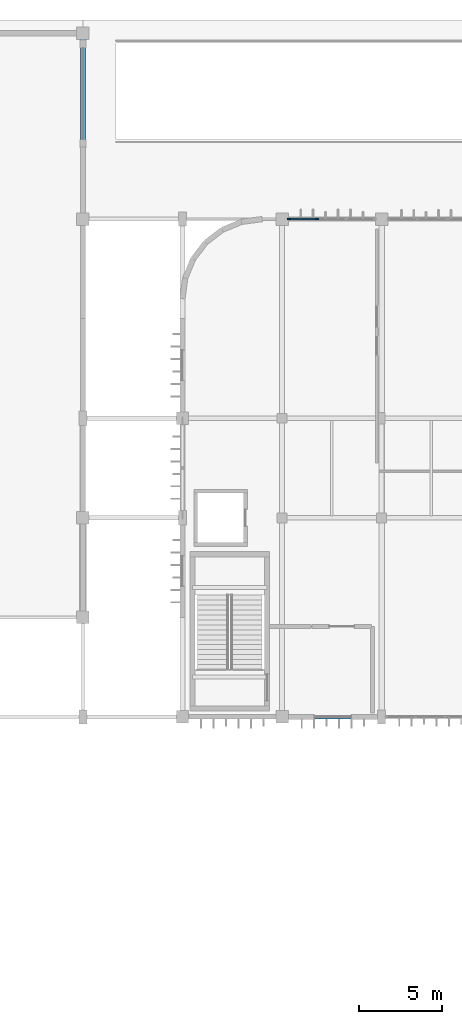
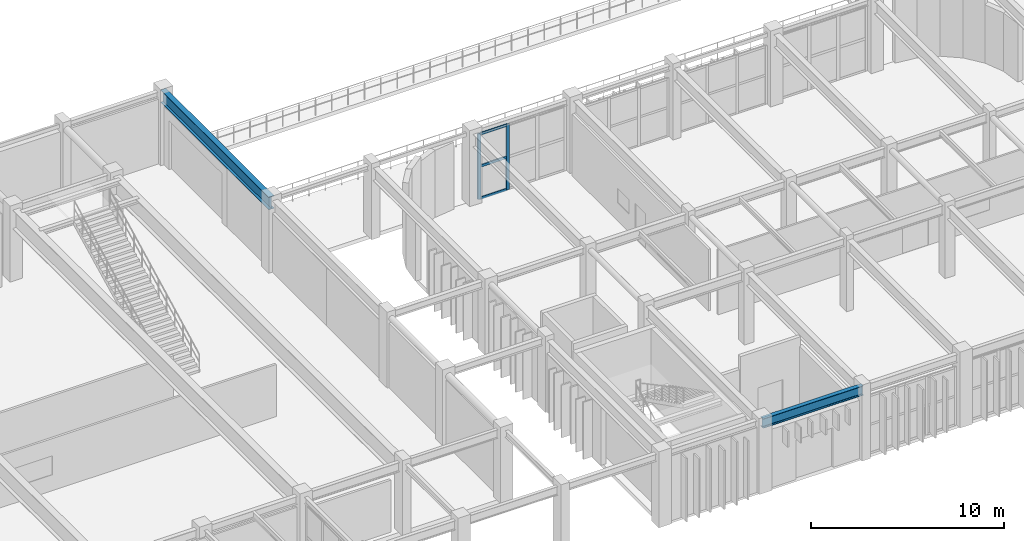
# One storey, part 24 of 76: 5 members, 2 beams, 1 element without a shape of its own.
"""IFC4 building model written with IfcOpenShell, lengths in metres."""

from ifc_helpers import new_model, si_unit, direction, frame, origin, origin_2d, place, context, subcontext, project, spatial, rectangle, i_section, extrude, material, material_profile, profile_set, type_object, element, aggregate, save


model = new_model("IFC4")

# Units and contexts
model_context = context("Model", 3, precision=1e-05, world=origin(), true_north=direction((0.0, 1.0)))
body_context = subcontext(model_context, "Body", "Model", "MODEL_VIEW")
ifc_project = project(units=[si_unit("LENGTHUNIT", "METRE"), si_unit("AREAUNIT", "SQUARE_METRE"), si_unit("VOLUMEUNIT", "CUBIC_METRE"), si_unit("PLANEANGLEUNIT", "RADIAN"), si_unit("MASSUNIT", "GRAM", prefix="KILO")], contexts=[model_context])

# Site, building, storey
site_placement = place(None, origin())
site = spatial("IfcSite", under=ifc_project, at=site_placement, CompositionType="ELEMENT")
building_placement = place(site_placement, origin())
building = spatial("IfcBuilding", under=site, at=building_placement, Name="Varnakota Square Police Headquarters", CompositionType="ELEMENT")
storey_placement = place(building_placement, origin())
storey = spatial("IfcBuildingStorey", under=building, at=storey_placement, Name="L00", CompositionType="ELEMENT", Elevation=0.0)

# Beams
ifc_material_1 = material(Name="Steel IS 2062 Grade 350", Category="steel")
ifc_material_profile_1 = material_profile(ifc_material_1, i_section(OverallWidth=0.320068359375, OverallDepth=0.800048828125, WebThickness=0.01611328125, FlangeThickness=0.028076171875, at=origin_2d()), Name="BPG 800x320")
ifc_profile_set_1 = profile_set([ifc_material_profile_1], Name="Steel IS 2062 Grade 350")
beam_type_1 = type_object("IfcBeamType", Name="BM-BPG800", PredefinedType="BEAM", material=ifc_profile_set_1)
beam_1_placement = place(storey_placement, frame((54.0, 99.0, 4.10009765625), z_axis=(0.0, 1.0, 0.0), x_axis=(-1.0, 0.0, 0.0)))
element("IfcBeam", 1, at=beam_1_placement, inside=storey, type_object=beam_type_1, Name="BMG-L00-1040", PredefinedType="BEAM", context=body_context, shape_type="SweptSolid", body=[
    extrude(i_section(OverallWidth=0.320068359375, OverallDepth=0.800048828125, WebThickness=0.01611328125, FlangeThickness=0.028076171875, at=origin_2d()), origin(), (0.0, 0.0, 1.0), 11.199951171875),
])
ifc_material_profile_2 = material_profile(ifc_material_1, i_section(OverallWidth=0.25, OverallDepth=0.60009765625, WebThickness=0.01171875, FlangeThickness=0.023681640625, FilletRadius=0.01708984375, at=origin_2d()), Name="ISWB 600")
ifc_profile_set_2 = profile_set([ifc_material_profile_2], Name="Steel IS 2062 Grade 350")
beam_type_2 = type_object("IfcBeamType", Name="BM-ISWB600", PredefinedType="BEAM", material=ifc_profile_set_2)
beam_2_placement = place(storey_placement, frame((66.0, 69.0, 4.199951171875), z_axis=(1.0, 0.0, 0.0), x_axis=(0.0, 1.0, 0.0)))
element("IfcBeam", 2, at=beam_2_placement, inside=storey, type_object=beam_type_2, Name="BMG-L00-0824", PredefinedType="BEAM", context=body_context, shape_type="SweptSolid", body=[
    extrude(i_section(OverallWidth=0.25, OverallDepth=0.60009765625, WebThickness=0.01171875, FlangeThickness=0.023681640625, FilletRadius=0.01708984375, at=origin_2d()), origin(), (0.0, 0.0, 1.0), 6.0),
])

# Curtain wall, members
ifc_material_2 = material(Name="Anodised Aluminium Framing", Category="aluminium")
curtain_wall_type = type_object("IfcCurtainWallType", Name="CW-SYS-C", PredefinedType="NOTDEFINED", material=ifc_material_2)
curtain_wall_placement = place(storey_placement, origin())
curtain_wall = element("IfcCurtainWall", 3, at=curtain_wall_placement, inside=storey, type_object=curtain_wall_type, Name="Unitised curtain wall CWG-L00-223", PredefinedType="NOTDEFINED")
ifc_material_3 = material(Name="Anodised Aluminium 6063-T6", Category="aluminium")
ifc_material_profile_3 = material_profile(ifc_material_3, rectangle(XDim=0.074951171875, YDim=0.199951171875, at=origin_2d()), Name="ALU MULLION 75x200")
ifc_profile_set_3 = profile_set([ifc_material_profile_3], Name="Anodised Aluminium 6063-T6")
member_type_1 = type_object("IfcMemberType", Name="CWM-180", PredefinedType="MULLION", material=ifc_profile_set_3)
member_1_placement = place(storey_placement, frame((66.41748046875, 99.0, 0.0), z_axis=(0.0, 0.0, 1.0), x_axis=(0.0, 1.0, 0.0)))
member_1 = element("IfcMember", 4, at=member_1_placement, type_object=member_type_1, Name="CWG-L00-223 mullion 1", PredefinedType="MULLION", context=body_context, shape_type="SweptSolid", body=[
    extrude(rectangle(XDim=0.074951171875, YDim=0.199951171875, at=origin_2d()), origin(), (0.0, 0.0, 1.0), 4.139892578125),
])
member_2_placement = place(storey_placement, frame((68.126708984375, 99.0, 0.0), z_axis=(0.0, 0.0, 1.0), x_axis=(0.0, 1.0, 0.0)))
member_2 = element("IfcMember", 5, at=member_2_placement, type_object=member_type_1, Name="CWG-L00-223 mullion 2", PredefinedType="MULLION", context=body_context, shape_type="SweptSolid", body=[
    extrude(rectangle(XDim=0.074951171875, YDim=0.199951171875, at=origin_2d()), origin(), (0.0, 0.0, 1.0), 4.139892578125),
])
ifc_material_profile_4 = material_profile(ifc_material_3, rectangle(XDim=0.074951171875, YDim=0.159912109375, at=origin_2d()), Name="ALU TRANSOM 75x160")
ifc_profile_set_4 = profile_set([ifc_material_profile_4], Name="Anodised Aluminium 6063-T6")
member_type_2 = type_object("IfcMemberType", Name="CWT-150", PredefinedType="USERDEFINED", material=ifc_profile_set_4)
member_3_placement = place(storey_placement, frame((66.455078125, 99.0, 0.03759765625), z_axis=(1.0, 0.0, 0.0), x_axis=(0.0, 1.0, 0.0)))
member_3 = element("IfcMember", 6, at=member_3_placement, type_object=member_type_2, Name="CWG-L00-223 transom 1.1", ObjectType="TRANSOM", PredefinedType="USERDEFINED", context=body_context, shape_type="SweptSolid", body=[
    extrude(rectangle(XDim=0.074951171875, YDim=0.159912109375, at=origin_2d()), origin(), (0.0, 0.0, 1.0), 1.634033203125),
])
member_4_placement = place(storey_placement, frame((66.455078125, 99.0, 2.070068359375), z_axis=(1.0, 0.0, 0.0), x_axis=(0.0, 1.0, 0.0)))
member_4 = element("IfcMember", 7, at=member_4_placement, type_object=member_type_2, Name="CWG-L00-223 transom 1.2", ObjectType="TRANSOM", PredefinedType="USERDEFINED", context=body_context, shape_type="SweptSolid", body=[
    extrude(rectangle(XDim=0.074951171875, YDim=0.159912109375, at=origin_2d()), origin(), (0.0, 0.0, 1.0), 1.634033203125),
])
member_5_placement = place(storey_placement, frame((66.455078125, 99.0, 4.1025390625), z_axis=(1.0, 0.0, 0.0), x_axis=(0.0, 1.0, 0.0)))
member_5 = element("IfcMember", 8, at=member_5_placement, type_object=member_type_2, Name="CWG-L00-223 transom 1.3", ObjectType="TRANSOM", PredefinedType="USERDEFINED", context=body_context, shape_type="SweptSolid", body=[
    extrude(rectangle(XDim=0.074951171875, YDim=0.159912109375, at=origin_2d()), origin(), (0.0, 0.0, 1.0), 1.634033203125),
])
aggregate(curtain_wall, [member_1, member_2, member_3, member_4, member_5])

save(model, "model.ifc")
